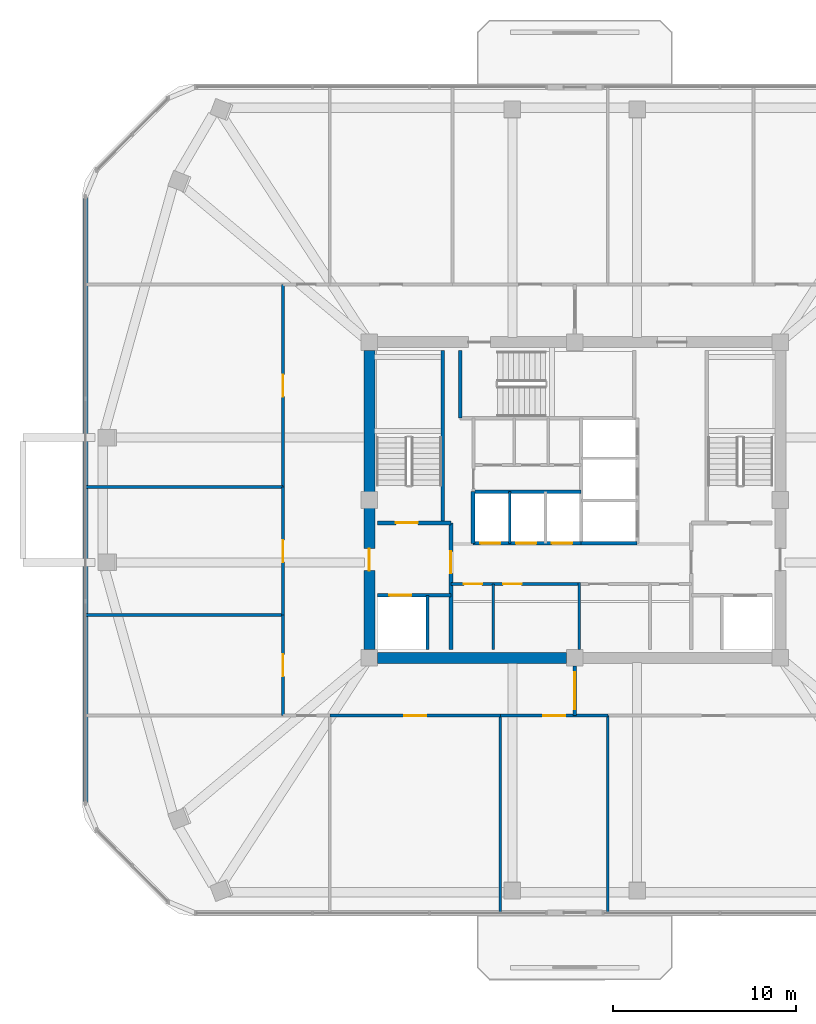
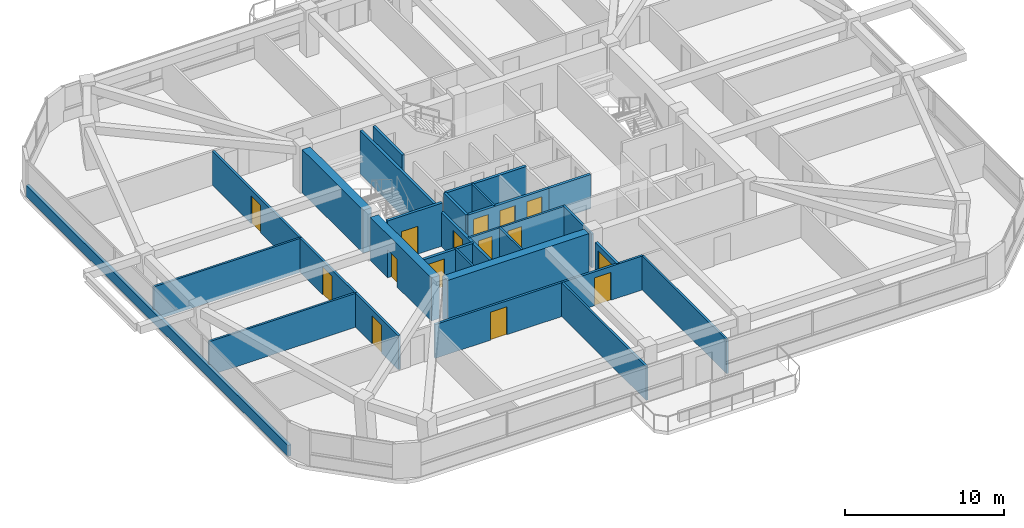
# One storey, part 8 of 13: 28 walls, 15 doors, 15 openings.
"""IFC4 building model written with IfcOpenShell, lengths in metres."""

import ifcopenshell
import ifcopenshell.guid

model = None  # the IFC model being written
_history = None  # IfcOwnerHistory: only IFC2X3 demands one
_inside = {}  # id of a spatial element -> (the spatial element, [elements in it])
_under = {}  # id of a project, library or spatial element -> (it, [spatial elements below it])
_declared = {}  # id of a project -> (the project, [libraries it declares])
_typed = {}  # id of a type object -> (the type object, [elements of that type])
_made_of = {}  # id of a material, layer set ... -> (it, [elements and type objects made of it])


def new_model(schema):
    """Start an empty IFC model of exactly this schema.

    Asked for "IFC4X3", IfcOpenShell would pick the latest addendum, in which some entities
    have other attributes; the version numbers below select the first issue.
    IFC2X3 requires an IfcOwnerHistory on every rooted entity: one is made here for all.
    """
    global model, _history
    if schema == "IFC4X3":
        model = ifcopenshell.file(schema_version=(4, 3, 0, 0))
    else:
        model = ifcopenshell.file(schema=schema)
    _inside.clear()
    _under.clear()
    _declared.clear()
    _typed.clear()
    _made_of.clear()
    _history = None
    if model.schema == "IFC2X3":
        org = make("IfcOrganization", Name="unknown")
        user = make(
            "IfcPersonAndOrganization",
            ThePerson=make("IfcPerson", FamilyName="unknown"),
            TheOrganization=org,
        )
        app = make(
            "IfcApplication",
            ApplicationDeveloper=org,
            Version="unknown",
            ApplicationFullName="unknown",
            ApplicationIdentifier="unknown",
        )
        _history = make(
            "IfcOwnerHistory",
            OwningUser=user,
            OwningApplication=app,
            ChangeAction="ADDED",
            CreationDate=0,
        )
    return model


def make(cls, **values):
    """One entity of the class cls with the attributes given. An attribute that is None is left unset."""
    return model.create_entity(
        cls, **{name: value for name, value in values.items() if value is not None}
    )


def rooted(cls, **values):
    """An entity with a GlobalId (a new one), such as an element, a storey or a relation."""
    return make(cls, GlobalId=ifcopenshell.guid.new(), OwnerHistory=_history, **values)


def si_unit(unit_type, name, prefix=None):
    """IfcSIUnit, for example si_unit("LENGTHUNIT", "METRE", prefix="MILLI")."""
    return make("IfcSIUnit", UnitType=unit_type, Prefix=prefix, Name=name)


def derived_unit(unit_type, elements):
    """IfcDerivedUnit: a product of units, each with its exponent."""
    return make(
        "IfcDerivedUnit",
        Elements=[
            make("IfcDerivedUnitElement", Unit=unit, Exponent=power)
            for unit, power in elements
        ],
        UnitType=unit_type,
    )


def assignment(units):
    """IfcUnitAssignment: the units of a project."""
    return None if units is None else make("IfcUnitAssignment", Units=units)


def point(xyz):
    """IfcCartesianPoint."""
    return None if xyz is None else make("IfcCartesianPoint", Coordinates=xyz)


def direction(xyz):
    """IfcDirection."""
    return None if xyz is None else make("IfcDirection", DirectionRatios=xyz)


def frame(location, z_axis=None, x_axis=None):
    """IfcAxis2Placement3D, a coordinate frame: its origin and axes. An axis left out is left unset."""
    return make(
        "IfcAxis2Placement3D",
        Location=point(location),
        Axis=direction(z_axis),
        RefDirection=direction(x_axis),
    )


def frame_2d(location, x_axis=None):
    """IfcAxis2Placement2D, a coordinate frame in the plane: its origin and x axis."""
    return make(
        "IfcAxis2Placement2D", Location=point(location), RefDirection=direction(x_axis)
    )


def origin():
    """The frame at (0, 0, 0) with its axes left unset."""
    return frame((0.0, 0.0, 0.0))


def place(relative_to, where):
    """IfcLocalPlacement: puts the frame where relative to a parent placement (None: the world)."""
    return make(
        "IfcLocalPlacement", PlacementRelTo=relative_to, RelativePlacement=where
    )


def context(
    kind, dimensions, precision=None, world=None, true_north=None, identifier=None
):
    """IfcGeometricRepresentationContext, for example the 3D "Model" context."""
    return make(
        "IfcGeometricRepresentationContext",
        ContextIdentifier=identifier,
        ContextType=kind,
        CoordinateSpaceDimension=dimensions,
        Precision=precision,
        WorldCoordinateSystem=world,
        TrueNorth=true_north,
    )


def subcontext(parent, identifier, kind, view, scale=None):
    """IfcGeometricRepresentationSubContext, for example "Body" below "Model"."""
    return make(
        "IfcGeometricRepresentationSubContext",
        ContextIdentifier=identifier,
        ContextType=kind,
        ParentContext=parent,
        TargetScale=scale,
        TargetView=view,
    )


def project(units=None, contexts=None):
    """IfcProject with its units and contexts."""
    return rooted(
        "IfcProject",
        Name="project",
        RepresentationContexts=contexts,
        UnitsInContext=assignment(units),
    )


def spatial(cls, under=None, at=None, **own):
    """A site, building, storey or space (cls), placed at a placement, below another one or the project."""
    s = rooted(cls, ObjectPlacement=at, **own)
    if under is not None:
        _under.setdefault(under.id(), (under, []))[1].append(s)
    return s


def profile(cls, at=None, kind="AREA", **sizes):
    """A parametric profile (cls). Its sizes go by their IFC names, for example OverallWidth=200.0."""
    return make(cls, ProfileType=kind, Position=at, **sizes)


def rectangle(**sizes):
    """IfcRectangleProfileDef."""
    return profile("IfcRectangleProfileDef", **sizes)


def extrude(swept, where, along, depth):
    """IfcExtrudedAreaSolid: the profile swept, set in the frame where, extruded along a direction by depth."""
    return make(
        "IfcExtrudedAreaSolid",
        SweptArea=swept,
        Position=where,
        ExtrudedDirection=direction(along),
        Depth=depth,
    )


def shape(context_of_items, identifier, shape_type, items):
    """IfcShapeRepresentation: the items that make up one representation, for example the "Body"."""
    return make(
        "IfcShapeRepresentation",
        ContextOfItems=context_of_items,
        RepresentationIdentifier=identifier,
        RepresentationType=shape_type,
        Items=items,
    )


def material(Name=None, Category=None):
    """IfcMaterial."""
    return make("IfcMaterial", Name=Name, Category=Category)


def layer(
    of_material, thickness, ventilated=None, Name=None, Category=None, Priority=None
):
    """IfcMaterialLayer: one layer of a wall or slab, of a material (None: an air gap)."""
    return make(
        "IfcMaterialLayer",
        Material=of_material,
        LayerThickness=thickness,
        IsVentilated=ventilated,
        Name=Name,
        Category=Category,
        Priority=Priority,
    )


def layer_set(layers, Name=None):
    """IfcMaterialLayerSet."""
    return make("IfcMaterialLayerSet", MaterialLayers=layers, LayerSetName=Name)


def made_of(thing, what):
    """Note that an element or type object is made of a material, layer set ...; save() writes the relation."""
    if what is not None:
        _made_of.setdefault(what.id(), (what, []))[1].append(thing)
    return thing


def type_object(cls, material=None, **own):
    """A type object (cls), such as IfcWallType, which elements share."""
    return made_of(rooted(cls, **own), material)


def element(
    cls,
    number,
    at=None,
    inside=None,
    cuts=None,
    type_object=None,
    material=None,
    context=None,
    identifier="Body",
    shape_type=None,
    held_by="IfcProductDefinitionShape",
    body=None,
    shapes=None,
    **own,
):
    """One element of the class cls, such as IfcWall. Its Tag is "e" and its number.

    at: its placement. inside: the storey or other place that contains it. cuts: it is an
    opening in that element (IfcRelVoidsElement). A single representation is given by context,
    identifier, shape_type and body (its items); several are given by shapes. held_by: the class
    of the entity that holds the representations. save() writes the other relations.
    """
    e = rooted(cls, Tag="e%d" % number, ObjectPlacement=at, **own)
    if body is not None:
        shapes = [shape(context, identifier, shape_type, body)]
    if shapes is not None:
        e.Representation = make(held_by, Representations=shapes)
    if inside is not None:
        _inside.setdefault(inside.id(), (inside, []))[1].append(e)
    if cuts is not None:
        rooted(
            "IfcRelVoidsElement", RelatingBuildingElement=cuts, RelatedOpeningElement=e
        )
    if type_object is not None:
        _typed.setdefault(type_object.id(), (type_object, []))[1].append(e)
    return made_of(e, material)


def fill(opening, filler):
    """IfcRelFillsElement: the door or window that sits in an opening."""
    return rooted(
        "IfcRelFillsElement",
        RelatingOpeningElement=opening,
        RelatedBuildingElement=filler,
    )


def aggregate(whole, parts):
    """IfcRelAggregates: a whole, such as a stair, and the parts it consists of."""
    return rooted("IfcRelAggregates", RelatingObject=whole, RelatedObjects=parts)


def save(model, path):
    """Write the relations noted so far, then the file.

    IfcRelAggregates (storeys below a building ...), IfcRelContainedInSpatialStructure (elements
    in a storey), IfcRelDefinesByType, IfcRelAssociatesMaterial and IfcRelDeclares: one each for
    every whole, place, type object, material and project.
    """
    for whole, parts in _under.values():
        aggregate(whole, parts)
    for where, things in _inside.values():
        rooted(
            "IfcRelContainedInSpatialStructure",
            RelatedElements=things,
            RelatingStructure=where,
        )
    for kind, things in _typed.values():
        rooted("IfcRelDefinesByType", RelatedObjects=things, RelatingType=kind)
    for what, things in _made_of.values():
        rooted("IfcRelAssociatesMaterial", RelatedObjects=things, RelatingMaterial=what)
    for by, libraries in _declared.values():
        rooted("IfcRelDeclares", RelatingContext=by, RelatedDefinitions=libraries)
    model.write(path)


model = new_model("IFC4")

# Units and contexts
model_context = context("Model", 3, precision=1e-05, world=origin(), true_north=direction((0.0, 1.0)))
body_context = subcontext(model_context, "Body", "Model", "MODEL_VIEW")
ifc_project = project(units=[si_unit("LENGTHUNIT", "METRE"), si_unit("AREAUNIT", "SQUARE_METRE"), si_unit("VOLUMEUNIT", "CUBIC_METRE"), si_unit("PLANEANGLEUNIT", "RADIAN"), si_unit("MASSUNIT", "GRAM", prefix="KILO"), derived_unit("THERMALTRANSMITTANCEUNIT", [(si_unit("POWERUNIT", "WATT"), 1), (si_unit("LENGTHUNIT", "METRE"), -2), (si_unit("THERMODYNAMICTEMPERATUREUNIT", "KELVIN"), -1)])], contexts=[model_context])

# Site, building, storey
site_placement = place(None, origin())
site = spatial("IfcSite", under=ifc_project, at=site_placement, CompositionType="ELEMENT")
building_placement = place(site_placement, origin())
building = spatial("IfcBuilding", under=site, at=building_placement, Name="Koralith Skygarden Medical Center", CompositionType="ELEMENT")
storey_placement = place(building_placement, frame((0.0, 0.0, 217.97998046875)))
storey = spatial("IfcBuildingStorey", under=building, at=storey_placement, Name="L56", CompositionType="ELEMENT", Elevation=217.97998046875)

# Wall, openings, doors
ifc_material_1 = material(Name="Gypsum Board Partition")
ifc_layer_1 = layer(ifc_material_1, 0.14990234375)
ifc_layer_set_1 = layer_set([ifc_layer_1], Name="Gypsum Board Partition")
wall_type_1 = type_object("IfcWallType", Name="Clinical Acoustic Partition 150", PredefinedType="PARTITIONING", material=ifc_layer_set_1)
wall_1_placement = place(storey_placement, frame((30.25, 21.320068359375, 0.0), z_axis=(0.0, 0.0, 1.0), x_axis=(1.0, 0.0, 0.0)))
wall_1 = element("IfcWall", 1, at=wall_1_placement, inside=storey, type_object=wall_type_1, Name="L56 Clinical Acoustic Partition 150 W-CORE-L56-FREED-LR-N", PredefinedType="PARTITIONING", context=body_context, shape_type="SweptSolid", body=[
    extrude(rectangle(XDim=7.0, YDim=0.14990234375, at=frame_2d((3.5, 0.0))), origin(), (0.0, 0.0, 1.0), 2.610107421875),
])
opening_1_placement = place(wall_1_placement, frame((0.699951171875, 0.0, 0.0)))
opening_1 = element("IfcOpeningElement", 2, at=opening_1_placement, cuts=wall_1, Name="Opening D-SUP", PredefinedType="OPENING", context=body_context, shape_type="SweptSolid", body=[
    extrude(rectangle(XDim=1.0, YDim=2.14990234375, at=frame_2d((0.5, 1.074951171875))), frame((0.0, 0.0849609375, 0.0), z_axis=(0.0, -1.0, 0.0), x_axis=(1.0, 0.0, 0.0)), (0.0, 0.0, 1.0), 0.169921875),
])
opening_2_placement = place(wall_1_placement, frame((2.85009765625, 0.0, 0.0)))
opening_2 = element("IfcOpeningElement", 3, at=opening_2_placement, cuts=wall_1, Name="Opening D-SUP", PredefinedType="OPENING", context=body_context, shape_type="SweptSolid", body=[
    extrude(rectangle(XDim=1.0, YDim=2.14990234375, at=frame_2d((0.5, 1.074951171875))), frame((0.0, 0.0849609375, 0.0), z_axis=(0.0, -1.0, 0.0), x_axis=(1.0, 0.0, 0.0)), (0.0, 0.0, 1.0), 0.169921875),
])
ifc_material_2 = material(Name="Aluminium 6063-T6", Category="aluminium")
door_type_1 = type_object("IfcDoorType", Name="Clinical Support Door D-SUP 1000", OperationType="NOTDEFINED", PredefinedType="DOOR", material=ifc_material_2)
door_1_placement = place(opening_1_placement, frame((1.0, 0.0, 0.0), z_axis=(0.0, 0.0, 1.0), x_axis=(-1.0, 0.0, 0.0)))
door_1 = element("IfcDoor", 4, at=door_1_placement, inside=storey, type_object=door_type_1, Name="L56 Medication Preparation Door", OperationType="SINGLE_SWING_LEFT", OverallHeight=2.14990234375, OverallWidth=1.0, PredefinedType="DOOR", context=body_context, shape_type="SweptSolid", body=[
    extrude(rectangle(XDim=1.0, YDim=2.14990234375, at=frame_2d((0.5, 1.074951171875))), frame((0.0, 0.02490234375, 0.0), z_axis=(0.0, -1.0, 0.0), x_axis=(1.0, 0.0, 0.0)), (0.0, 0.0, 1.0), 0.050048828125),
])
fill(opening_1, door_1)
door_2_placement = place(opening_2_placement, frame((1.0, 0.0, 0.0), z_axis=(0.0, 0.0, 1.0), x_axis=(-1.0, 0.0, 0.0)))
door_2 = element("IfcDoor", 5, at=door_2_placement, inside=storey, type_object=door_type_1, Name="L56 Telemetry Room Door", OperationType="SINGLE_SWING_RIGHT", OverallHeight=2.14990234375, OverallWidth=1.0, PredefinedType="DOOR", context=body_context, shape_type="SweptSolid", body=[
    extrude(rectangle(XDim=1.0, YDim=2.14990234375, at=frame_2d((0.5, 1.074951171875))), frame((0.0, 0.02490234375, 0.0), z_axis=(0.0, -1.0, 0.0), x_axis=(1.0, 0.0, 0.0)), (0.0, 0.0, 1.0), 0.050048828125),
])
fill(opening_2, door_2)

# Walls
wall_2_placement = place(storey_placement, frame((32.550048828125, 17.75, 0.0), z_axis=(0.0, 0.0, 1.0), x_axis=(0.0, 1.0, 0.0)))
element("IfcWall", 6, at=wall_2_placement, inside=storey, type_object=wall_type_1, Name="L56 Clinical Acoustic Partition 150 W-CORE-L56-FREED-LR-M", PredefinedType="PARTITIONING", context=body_context, shape_type="SweptSolid", body=[
    extrude(rectangle(XDim=3.570068359375, YDim=0.14990234375, at=frame_2d((1.78515625, 0.0))), origin(), (0.0, 0.0, 1.0), 2.610107421875),
])
for number, where, z_axis, x_axis, name in (
    (7, (32.94189453125, 14.14990234375, 0.0), (0.0, 0.0, 1.0), (0.0, -1.0, 0.0), "L56 Clinical Acoustic Partition 150 W-PART-L56-S-02"),
    (8, (38.800048828125, 14.14990234375, 0.0), (0.0, 0.0, 1.0), (0.0, -1.0, 0.0), "L56 Clinical Acoustic Partition 150 W-PART-L56-S-03"),
):
    element("IfcWall", number, at=place(storey_placement, frame(where, z_axis=z_axis, x_axis=x_axis)), inside=storey, type_object=wall_type_1, Name=name, PredefinedType="PARTITIONING", context=body_context, shape_type="SweptSolid", body=[
        extrude(rectangle(XDim=10.73486328125, YDim=0.14990234375, at=frame_2d((5.367431640625, 0.0))), origin(), (0.0, 0.0, 1.0), 2.610107421875),
    ])
for number, where, z_axis, x_axis, name in (
    (9, (21.10009765625, 19.6298828125, 0.0), (0.0, 0.0, 1.0), (-1.0, 0.0, 0.0), "L56 Clinical Acoustic Partition 150 W-PART-L56-W-01"),
    (10, (21.10009765625, 26.60498046875, 0.0), (0.0, 0.0, 1.0), (-1.0, 0.0, 0.0), "L56 Clinical Acoustic Partition 150 W-PART-L56-W-02"),
):
    element("IfcWall", number, at=place(storey_placement, frame(where, z_axis=z_axis, x_axis=x_axis)), inside=storey, type_object=wall_type_1, Name=name, PredefinedType="PARTITIONING", context=body_context, shape_type="SweptSolid", body=[
        extrude(rectangle(XDim=10.739990234375, YDim=0.14990234375, at=frame_2d((5.3701171875, 0.0))), origin(), (0.0, 0.0, 1.0), 2.610107421875),
    ])

# Wall, opening, door
ifc_layer_2 = layer(ifc_material_1, 0.1650390625)
ifc_layer_set_2 = layer_set([ifc_layer_2], Name="Gypsum Board Partition")
wall_type_2 = type_object("IfcWallType", Name="Clinical Corridor Partition 165", PredefinedType="PARTITIONING", material=ifc_layer_set_2)
wall_3_placement = place(storey_placement, frame((23.64990234375, 14.14990234375, 0.0), z_axis=(0.0, 0.0, 1.0), x_axis=(1.0, 0.0, 0.0)))
wall_3 = element("IfcWall", 11, at=wall_3_placement, inside=storey, type_object=wall_type_2, Name="L56 Clinical Corridor Partition 165 W-CORR-L56-S-02", PredefinedType="PARTITIONING", context=body_context, shape_type="SweptSolid", body=[
    extrude(rectangle(XDim=9.2919921875, YDim=0.1650390625, at=frame_2d((4.64599609375, 0.0))), origin(), (0.0, 0.0, 1.0), 2.610107421875),
])
opening_3_placement = place(wall_3_placement, frame((4.0458984375, 0.0, 0.0)))
opening_3 = element("IfcOpeningElement", 12, at=opening_3_placement, cuts=wall_3, Name="Opening D-CLN", PredefinedType="OPENING", context=body_context, shape_type="SweptSolid", body=[
    extrude(rectangle(XDim=1.199951171875, YDim=2.14990234375, at=frame_2d((0.60009765625, 1.074951171875))), frame((0.0, 0.092529296875, 0.0), z_axis=(0.0, -1.0, 0.0), x_axis=(1.0, 0.0, 0.0)), (0.0, 0.0, 1.0), 0.18505859375),
])
door_type_2 = type_object("IfcDoorType", Name="Clinical Corridor Door D-CLN 1200", OperationType="NOTDEFINED", PredefinedType="DOOR", material=ifc_material_2)
door_3_placement = place(opening_3_placement, frame((1.199951171875, 0.0, 0.0), z_axis=(0.0, 0.0, 1.0), x_axis=(-1.0, 0.0, 0.0)))
door_3 = element("IfcDoor", 13, at=door_3_placement, inside=storey, type_object=door_type_2, Name="L56 Hepatology Exam Room 08 Door", OperationType="SINGLE_SWING_LEFT", OverallHeight=2.14990234375, OverallWidth=1.199951171875, PredefinedType="DOOR", context=body_context, shape_type="SweptSolid", body=[
    extrude(rectangle(XDim=1.199951171875, YDim=2.14990234375, at=frame_2d((0.60009765625, 1.074951171875))), frame((0.0, 0.02490234375, 0.0), z_axis=(0.0, -1.0, 0.0), x_axis=(1.0, 0.0, 0.0)), (0.0, 0.0, 1.0), 0.050048828125),
])
fill(opening_3, door_3)

wall_4_placement = place(storey_placement, frame((32.94189453125, 14.14990234375, 0.0), z_axis=(0.0, 0.0, 1.0), x_axis=(1.0, 0.0, 0.0)))
wall_4 = element("IfcWall", 14, at=wall_4_placement, inside=storey, type_object=wall_type_2, Name="L56 Clinical Corridor Partition 165 W-CORR-L56-S-03", PredefinedType="PARTITIONING", context=body_context, shape_type="SweptSolid", body=[
    extrude(rectangle(XDim=5.858154296875, YDim=0.1650390625, at=frame_2d((2.92919921875, 0.0))), origin(), (0.0, 0.0, 1.0), 2.610107421875),
])
opening_4_placement = place(wall_4_placement, frame((2.3291015625, 0.0, 0.0)))
opening_4 = element("IfcOpeningElement", 15, at=opening_4_placement, cuts=wall_4, Name="Opening D-CLN", PredefinedType="OPENING", context=body_context, shape_type="SweptSolid", body=[
    extrude(rectangle(XDim=1.199951171875, YDim=2.14990234375, at=frame_2d((0.60009765625, 1.074951171875))), frame((0.0, 0.092529296875, 0.0), z_axis=(0.0, -1.0, 0.0), x_axis=(1.0, 0.0, 0.0)), (0.0, 0.0, 1.0), 0.18505859375),
])
door_4_placement = place(opening_4_placement, frame((1.199951171875, 0.0, 0.0), z_axis=(0.0, 0.0, 1.0), x_axis=(-1.0, 0.0, 0.0)))
door_4 = element("IfcDoor", 16, at=door_4_placement, inside=storey, type_object=door_type_2, Name="L56 Patient and Family Sky-Garden Day Lounge 09 Door", OperationType="SINGLE_SWING_RIGHT", OverallHeight=2.14990234375, OverallWidth=1.199951171875, PredefinedType="DOOR", context=body_context, shape_type="SweptSolid", body=[
    extrude(rectangle(XDim=1.199951171875, YDim=2.14990234375, at=frame_2d((0.60009765625, 1.074951171875))), frame((0.0, 0.02490234375, 0.0), z_axis=(0.0, -1.0, 0.0), x_axis=(1.0, 0.0, 0.0)), (0.0, 0.0, 1.0), 0.050048828125),
])
fill(opening_4, door_4)

wall_5_placement = place(storey_placement, frame((21.10009765625, 14.14990234375, 0.0), z_axis=(0.0, 0.0, 1.0), x_axis=(0.0, 1.0, 0.0)))
wall_5 = element("IfcWall", 17, at=wall_5_placement, inside=storey, type_object=wall_type_2, Name="L56 Clinical Corridor Partition 165 W-CORR-L56-W-01", PredefinedType="PARTITIONING", context=body_context, shape_type="SweptSolid", body=[
    extrude(rectangle(XDim=5.47998046875, YDim=0.1650390625, at=frame_2d((2.739990234375, 0.0))), origin(), (0.0, 0.0, 1.0), 2.610107421875),
])
opening_5_placement = place(wall_5_placement, frame((2.139892578125, 0.0, 0.0)))
opening_5 = element("IfcOpeningElement", 18, at=opening_5_placement, cuts=wall_5, Name="Opening D-CLN", PredefinedType="OPENING", context=body_context, shape_type="SweptSolid", body=[
    extrude(rectangle(XDim=1.199951171875, YDim=2.14990234375, at=frame_2d((0.60009765625, 1.074951171875))), frame((0.0, 0.092529296875, 0.0), z_axis=(0.0, -1.0, 0.0), x_axis=(1.0, 0.0, 0.0)), (0.0, 0.0, 1.0), 0.18505859375),
])
door_5_placement = place(opening_5_placement, frame((1.199951171875, 0.0, 0.0), z_axis=(0.0, 0.0, 1.0), x_axis=(-1.0, 0.0, 0.0)))
door_5 = element("IfcDoor", 19, at=door_5_placement, inside=storey, type_object=door_type_2, Name="L56 Transplant Selection Conference Room 12 Door", OperationType="SINGLE_SWING_LEFT", OverallHeight=2.14990234375, OverallWidth=1.199951171875, PredefinedType="DOOR", context=body_context, shape_type="SweptSolid", body=[
    extrude(rectangle(XDim=1.199951171875, YDim=2.14990234375, at=frame_2d((0.60009765625, 1.074951171875))), frame((0.0, 0.02490234375, 0.0), z_axis=(0.0, -1.0, 0.0), x_axis=(1.0, 0.0, 0.0)), (0.0, 0.0, 1.0), 0.050048828125),
])
fill(opening_5, door_5)

wall_6_placement = place(storey_placement, frame((21.10009765625, 19.6298828125, 0.0), z_axis=(0.0, 0.0, 1.0), x_axis=(0.0, 1.0, 0.0)))
wall_6 = element("IfcWall", 20, at=wall_6_placement, inside=storey, type_object=wall_type_2, Name="L56 Clinical Corridor Partition 165 W-CORR-L56-W-02", PredefinedType="PARTITIONING", context=body_context, shape_type="SweptSolid", body=[
    extrude(rectangle(XDim=6.97509765625, YDim=0.1650390625, at=frame_2d((3.487548828125, 0.0))), origin(), (0.0, 0.0, 1.0), 2.610107421875),
])
opening_6_placement = place(wall_6_placement, frame((2.887939453125, 0.0, 0.0)))
opening_6 = element("IfcOpeningElement", 21, at=opening_6_placement, cuts=wall_6, Name="Opening D-CLN", PredefinedType="OPENING", context=body_context, shape_type="SweptSolid", body=[
    extrude(rectangle(XDim=1.199951171875, YDim=2.14990234375, at=frame_2d((0.60009765625, 1.074951171875))), frame((0.0, 0.092529296875, 0.0), z_axis=(0.0, -1.0, 0.0), x_axis=(1.0, 0.0, 0.0)), (0.0, 0.0, 1.0), 0.18505859375),
])
door_6_placement = place(opening_6_placement, frame((1.199951171875, 0.0, 0.0), z_axis=(0.0, 0.0, 1.0), x_axis=(-1.0, 0.0, 0.0)))
door_6 = element("IfcDoor", 22, at=door_6_placement, inside=storey, type_object=door_type_2, Name="L56 Hepatology Exam Room 13 Door", OperationType="SINGLE_SWING_RIGHT", OverallHeight=2.14990234375, OverallWidth=1.199951171875, PredefinedType="DOOR", context=body_context, shape_type="SweptSolid", body=[
    extrude(rectangle(XDim=1.199951171875, YDim=2.14990234375, at=frame_2d((0.60009765625, 1.074951171875))), frame((0.0, 0.02490234375, 0.0), z_axis=(0.0, -1.0, 0.0), x_axis=(1.0, 0.0, 0.0)), (0.0, 0.0, 1.0), 0.050048828125),
])
fill(opening_6, door_6)

wall_7_placement = place(storey_placement, frame((21.10009765625, 26.60498046875, 0.0), z_axis=(0.0, 0.0, 1.0), x_axis=(0.0, 1.0, 0.0)))
wall_7 = element("IfcWall", 23, at=wall_7_placement, inside=storey, type_object=wall_type_2, Name="L56 Clinical Corridor Partition 165 W-CORR-L56-W-03", PredefinedType="PARTITIONING", context=body_context, shape_type="SweptSolid", body=[
    extrude(rectangle(XDim=11.044921875, YDim=0.1650390625, at=frame_2d((5.5224609375, 0.0))), origin(), (0.0, 0.0, 1.0), 2.610107421875),
])
opening_7_placement = place(wall_7_placement, frame((4.922119140625, 0.0, 0.0)))
opening_7 = element("IfcOpeningElement", 24, at=opening_7_placement, cuts=wall_7, Name="Opening D-CLN", PredefinedType="OPENING", context=body_context, shape_type="SweptSolid", body=[
    extrude(rectangle(XDim=1.199951171875, YDim=2.14990234375, at=frame_2d((0.60009765625, 1.074951171875))), frame((0.0, 0.092529296875, 0.0), z_axis=(0.0, -1.0, 0.0), x_axis=(1.0, 0.0, 0.0)), (0.0, 0.0, 1.0), 0.18505859375),
])
door_7_placement = place(opening_7_placement, frame((1.199951171875, 0.0, 0.0), z_axis=(0.0, 0.0, 1.0), x_axis=(-1.0, 0.0, 0.0)))
door_7 = element("IfcDoor", 25, at=door_7_placement, inside=storey, type_object=door_type_2, Name="L56 Transplant Coordinator Office 14 Door", OperationType="SINGLE_SWING_LEFT", OverallHeight=2.14990234375, OverallWidth=1.199951171875, PredefinedType="DOOR", context=body_context, shape_type="SweptSolid", body=[
    extrude(rectangle(XDim=1.199951171875, YDim=2.14990234375, at=frame_2d((0.60009765625, 1.074951171875))), frame((0.0, 0.02490234375, 0.0), z_axis=(0.0, -1.0, 0.0), x_axis=(1.0, 0.0, 0.0)), (0.0, 0.0, 1.0), 0.050048828125),
])
fill(opening_7, door_7)

ifc_layer_3 = layer(ifc_material_1, 0.199951171875)
ifc_layer_set_3 = layer_set([ifc_layer_3], Name="Gypsum Board Partition")
wall_type_3 = type_object("IfcWallType", Name="Fire Shaft Wall 200", PredefinedType="SOLIDWALL", material=ifc_layer_set_3)
wall_8_placement = place(storey_placement, frame((26.25, 20.699951171875, 0.0), z_axis=(0.0, 0.0, 1.0), x_axis=(1.0, 0.0, 0.0)))
wall_8 = element("IfcWall", 26, at=wall_8_placement, inside=storey, type_object=wall_type_3, Name="L56 Fire Shaft Wall 200 W-CORE-L56-FF1-N", PredefinedType="SOLIDWALL", context=body_context, shape_type="SweptSolid", body=[
    extrude(rectangle(XDim=4.0, YDim=0.199951171875, at=frame_2d((2.0, 0.0))), origin(), (0.0, 0.0, 1.0), 2.610107421875),
])
opening_8_placement = place(wall_8_placement, frame((0.64990234375, 0.0, 0.0)))
opening_8 = element("IfcOpeningElement", 27, at=opening_8_placement, cuts=wall_8, Name="Opening LD-FF", PredefinedType="OPENING", context=body_context, shape_type="SweptSolid", body=[
    extrude(rectangle(XDim=1.199951171875, YDim=2.14990234375, at=frame_2d((0.60009765625, 1.074951171875))), frame((0.0, 0.10986328125, 0.0), z_axis=(0.0, -1.0, 0.0), x_axis=(1.0, 0.0, 0.0)), (0.0, 0.0, 1.0), 0.219970703125),
])
ifc_material_3 = material(Name="Steel ASTM A500 Grade C", Category="steel")
door_type_3 = type_object("IfcDoorType", Name="Fire Lift Sliding Landing Door LD-FF 1200", OperationType="NOTDEFINED", PredefinedType="DOOR", material=ifc_material_3)
door_8_placement = place(opening_8_placement, origin())
door_8 = element("IfcDoor", 28, at=door_8_placement, inside=storey, type_object=door_type_3, Name="L56 Fire Service Elevator FF1 Landing Door", OperationType="SLIDING_TO_LEFT", OverallHeight=2.14990234375, OverallWidth=1.199951171875, PredefinedType="DOOR", context=body_context, shape_type="SweptSolid", body=[
    extrude(rectangle(XDim=1.199951171875, YDim=2.14990234375, at=frame_2d((0.60009765625, 1.074951171875))), frame((0.0, 0.02490234375, 0.0), z_axis=(0.0, -1.0, 0.0), x_axis=(1.0, 0.0, 0.0)), (0.0, 0.0, 1.0), 0.050048828125),
])
fill(opening_8, door_8)

wall_9_placement = place(storey_placement, frame((30.25, 17.75, 0.0), z_axis=(0.0, 0.0, 1.0), x_axis=(0.0, 1.0, 0.0)))
wall_9 = element("IfcWall", 29, at=wall_9_placement, inside=storey, type_object=wall_type_3, Name="L56 Fire Shaft Wall 200 W-CORE-L56-FSAEW-E", PredefinedType="SOLIDWALL", context=body_context, shape_type="SweptSolid", body=[
    extrude(rectangle(XDim=6.89990234375, YDim=0.199951171875, at=frame_2d((3.449951171875, 0.0))), origin(), (0.0, 0.0, 1.0), 2.610107421875),
])
opening_9_placement = place(wall_9_placement, frame((4.14990234375, 0.0, 0.0)))
opening_9 = element("IfcOpeningElement", 30, at=opening_9_placement, cuts=wall_9, Name="Opening D-ST60", PredefinedType="OPENING", context=body_context, shape_type="SweptSolid", body=[
    extrude(rectangle(XDim=1.199951171875, YDim=2.14990234375, at=frame_2d((0.60009765625, 1.074951171875))), frame((0.0, 0.10986328125, 0.0), z_axis=(0.0, -1.0, 0.0), x_axis=(1.0, 0.0, 0.0)), (0.0, 0.0, 1.0), 0.219970703125),
])
door_type_4 = type_object("IfcDoorType", Name="Smokeproof Stair Fire Door FD60S 1200", OperationType="NOTDEFINED", PredefinedType="DOOR", material=ifc_material_3)
door_9_placement = place(opening_9_placement, origin())
door_9 = element("IfcDoor", 31, at=door_9_placement, inside=storey, type_object=door_type_4, Name="L56 West Firefighting Lobby Inner Fire Door", OperationType="SINGLE_SWING_LEFT", OverallHeight=2.14990234375, OverallWidth=1.199951171875, PredefinedType="DOOR", context=body_context, shape_type="SweptSolid", body=[
    extrude(rectangle(XDim=1.199951171875, YDim=2.14990234375, at=frame_2d((0.60009765625, 1.074951171875))), frame((0.0, 0.02490234375, 0.0), z_axis=(0.0, -1.0, 0.0), x_axis=(1.0, 0.0, 0.0)), (0.0, 0.0, 1.0), 0.050048828125),
])
fill(opening_9, door_9)

# Wall, openings, doors
wall_10_placement = place(storey_placement, frame((31.449951171875, 23.5400390625, 0.0), z_axis=(0.0, 0.0, 1.0), x_axis=(1.0, 0.0, 0.0)))
wall_10 = element("IfcWall", 32, at=wall_10_placement, inside=storey, type_object=wall_type_3, Name="L56 Fire Shaft Wall 200 W-CORE-L56-PH-S", PredefinedType="SOLIDWALL", context=body_context, shape_type="SweptSolid", body=[
    extrude(rectangle(XDim=5.900146484375, YDim=0.199951171875, at=frame_2d((2.9501953125, 0.0))), origin(), (0.0, 0.0, 1.0), 2.610107421875),
])
opening_10_placement = place(wall_10_placement, frame((0.39990234375, 0.0, 0.0)))
opening_10 = element("IfcOpeningElement", 33, at=opening_10_placement, cuts=wall_10, Name="Opening LD-P", PredefinedType="OPENING", context=body_context, shape_type="SweptSolid", body=[
    extrude(rectangle(XDim=1.10009765625, YDim=2.14990234375, at=frame_2d((0.550048828125, 1.074951171875))), frame((0.0, 0.10986328125, 0.0), z_axis=(0.0, -1.0, 0.0), x_axis=(1.0, 0.0, 0.0)), (0.0, 0.0, 1.0), 0.219970703125),
])
opening_11_placement = place(wall_10_placement, frame((2.35009765625, 0.0, 0.0)))
opening_11 = element("IfcOpeningElement", 34, at=opening_11_placement, cuts=wall_10, Name="Opening LD-P", PredefinedType="OPENING", context=body_context, shape_type="SweptSolid", body=[
    extrude(rectangle(XDim=1.10009765625, YDim=2.14990234375, at=frame_2d((0.550048828125, 1.074951171875))), frame((0.0, 0.10986328125, 0.0), z_axis=(0.0, -1.0, 0.0), x_axis=(1.0, 0.0, 0.0)), (0.0, 0.0, 1.0), 0.219970703125),
])
opening_12_placement = place(wall_10_placement, frame((4.300048828125, 0.0, 0.0)))
opening_12 = element("IfcOpeningElement", 35, at=opening_12_placement, cuts=wall_10, Name="Opening LD-P", PredefinedType="OPENING", context=body_context, shape_type="SweptSolid", body=[
    extrude(rectangle(XDim=1.10009765625, YDim=2.14990234375, at=frame_2d((0.550048828125, 1.074951171875))), frame((0.0, 0.10986328125, 0.0), z_axis=(0.0, -1.0, 0.0), x_axis=(1.0, 0.0, 0.0)), (0.0, 0.0, 1.0), 0.219970703125),
])
door_type_5 = type_object("IfcDoorType", Name="Passenger Lift Sliding Landing Door LD-P 1100", OperationType="NOTDEFINED", PredefinedType="DOOR", material=ifc_material_3)
door_10_placement = place(opening_10_placement, origin())
door_10 = element("IfcDoor", 36, at=door_10_placement, inside=storey, type_object=door_type_5, Name="L56 Passenger Elevator PH1 Landing Door", OperationType="SLIDING_TO_RIGHT", OverallHeight=2.14990234375, OverallWidth=1.10009765625, PredefinedType="DOOR", context=body_context, shape_type="SweptSolid", body=[
    extrude(rectangle(XDim=1.10009765625, YDim=2.14990234375, at=frame_2d((0.550048828125, 1.074951171875))), frame((0.0, 0.02490234375, 0.0), z_axis=(0.0, -1.0, 0.0), x_axis=(1.0, 0.0, 0.0)), (0.0, 0.0, 1.0), 0.050048828125),
])
fill(opening_10, door_10)
door_11_placement = place(opening_11_placement, origin())
door_11 = element("IfcDoor", 37, at=door_11_placement, inside=storey, type_object=door_type_5, Name="L56 Passenger Elevator PH2 Landing Door", OperationType="SLIDING_TO_RIGHT", OverallHeight=2.14990234375, OverallWidth=1.10009765625, PredefinedType="DOOR", context=body_context, shape_type="SweptSolid", body=[
    extrude(rectangle(XDim=1.10009765625, YDim=2.14990234375, at=frame_2d((0.550048828125, 1.074951171875))), frame((0.0, 0.02490234375, 0.0), z_axis=(0.0, -1.0, 0.0), x_axis=(1.0, 0.0, 0.0)), (0.0, 0.0, 1.0), 0.050048828125),
])
fill(opening_11, door_11)
door_12_placement = place(opening_12_placement, origin())
door_12 = element("IfcDoor", 38, at=door_12_placement, inside=storey, type_object=door_type_5, Name="L56 Passenger Elevator PH3 Landing Door", OperationType="SLIDING_TO_RIGHT", OverallHeight=2.14990234375, OverallWidth=1.10009765625, PredefinedType="DOOR", context=body_context, shape_type="SweptSolid", body=[
    extrude(rectangle(XDim=1.10009765625, YDim=2.14990234375, at=frame_2d((0.550048828125, 1.074951171875))), frame((0.0, 0.02490234375, 0.0), z_axis=(0.0, -1.0, 0.0), x_axis=(1.0, 0.0, 0.0)), (0.0, 0.0, 1.0), 0.050048828125),
])
fill(opening_12, door_12)

# Walls
wall_11_placement = place(storey_placement, frame((31.449951171875, 26.35009765625, 0.0), z_axis=(0.0, 0.0, 1.0), x_axis=(1.0, 0.0, 0.0)))
element("IfcWall", 39, at=wall_11_placement, inside=storey, type_object=wall_type_3, Name="L56 Fire Shaft Wall 200 W-CORE-L56-PH-N", PredefinedType="SOLIDWALL", context=body_context, shape_type="SweptSolid", body=[
    extrude(rectangle(XDim=5.900146484375, YDim=0.199951171875, at=frame_2d((2.9501953125, 0.0))), origin(), (0.0, 0.0, 1.0), 2.610107421875),
])
wall_12_placement = place(storey_placement, frame((31.449951171875, 23.5400390625, 0.0), z_axis=(0.0, 0.0, 1.0), x_axis=(0.0, 1.0, 0.0)))
element("IfcWall", 40, at=wall_12_placement, inside=storey, type_object=wall_type_3, Name="L56 Fire Shaft Wall 200 W-CORE-L56-PH-W", PredefinedType="SOLIDWALL", context=body_context, shape_type="SweptSolid", body=[
    extrude(rectangle(XDim=2.81005859375, YDim=0.199951171875, at=frame_2d((1.405029296875, 0.0))), origin(), (0.0, 0.0, 1.0), 2.610107421875),
])
wall_13_placement = place(storey_placement, frame((37.35009765625, 23.5400390625, 0.0), z_axis=(0.0, 0.0, 1.0), x_axis=(1.0, 0.0, 0.0)))
element("IfcWall", 41, at=wall_13_placement, inside=storey, type_object=wall_type_3, Name="L56 Fire Shaft Wall 200 W-CORE-L56-SV-S", PredefinedType="SOLIDWALL", context=body_context, shape_type="SweptSolid", body=[
    extrude(rectangle(XDim=3.0498046875, YDim=0.199951171875, at=frame_2d((1.52490234375, 0.0))), origin(), (0.0, 0.0, 1.0), 2.610107421875),
])

# Wall, opening, door
ifc_layer_4 = layer(ifc_material_1, 0.179931640625)
ifc_layer_set_4 = layer_set([ifc_layer_4], Name="Gypsum Board Partition")
wall_type_4 = type_object("IfcWallType", Name="Group I-2 Smoke Barrier Wall 180", PredefinedType="PARTITIONING", material=ifc_layer_set_4)
wall_14_placement = place(storey_placement, frame((37.0, 14.14990234375, 0.0), z_axis=(0.0, 0.0, 1.0), x_axis=(0.0, 1.0, 0.0)))
wall_14 = element("IfcWall", 42, at=wall_14_placement, inside=storey, type_object=wall_type_4, Name="L56 Group I-2 Smoke Barrier Wall 180 W-SMK-L56-S", PredefinedType="PARTITIONING", context=body_context, shape_type="SweptSolid", body=[
    extrude(rectangle(XDim=2.7001953125, YDim=0.179931640625, at=frame_2d((1.35009765625, 0.0))), origin(), (0.0, 0.0, 1.0), 2.610107421875),
])
opening_13_placement = place(wall_14_placement, frame((0.35009765625, 0.0, 0.0)))
opening_13 = element("IfcOpeningElement", 43, at=opening_13_placement, cuts=wall_14, Name="Opening D-SMK", PredefinedType="OPENING", context=body_context, shape_type="SweptSolid", body=[
    extrude(rectangle(XDim=2.0, YDim=2.199951171875, at=frame_2d((1.0, 1.10009765625))), frame((0.0, 0.099853515625, 0.0), z_axis=(0.0, -1.0, 0.0), x_axis=(1.0, 0.0, 0.0)), (0.0, 0.0, 1.0), 0.199951171875),
])
door_type_6 = type_object("IfcDoorType", Name="Cross-Corridor Double Smoke Door FD60S 2000", OperationType="NOTDEFINED", PredefinedType="DOOR", material=ifc_material_3)
door_13_placement = place(opening_13_placement, frame((2.0, 0.0, 0.0), z_axis=(0.0, 0.0, 1.0), x_axis=(-1.0, 0.0, 0.0)))
door_13 = element("IfcDoor", 44, at=door_13_placement, inside=storey, type_object=door_type_6, Name="L56 S Smoke Compartment Cross-Corridor Door", OperationType="DOUBLE_DOOR_SINGLE_SWING", OverallHeight=2.199951171875, OverallWidth=2.0, PredefinedType="DOOR", context=body_context, shape_type="SweptSolid", body=[
    extrude(rectangle(XDim=2.0, YDim=2.199951171875, at=frame_2d((1.0, 1.10009765625))), frame((0.0, 0.02490234375, 0.0), z_axis=(0.0, -1.0, 0.0), x_axis=(1.0, 0.0, 0.0)), (0.0, 0.0, 1.0), 0.050048828125),
])
fill(opening_13, door_13)

# Walls
ifc_material_4 = material(Name="Warm Oolitic Limestone Cladding", Category="masonry")
ifc_layer_5 = layer(ifc_material_4, 0.239990234375)
ifc_layer_set_5 = layer_set([ifc_layer_5], Name="Warm Oolitic Limestone Cladding")
wall_type_5 = type_object("IfcWallType", Name="Limestone Spandrel Sill Backup Wall 240", PredefinedType="SOLIDWALL", material=ifc_layer_set_5)
wall_15_placement = place(storey_placement, frame((10.340087890625, 42.428955078125, 0.0), z_axis=(0.0, 0.0, 1.0), x_axis=(0.0, -1.0, 0.0)))
element("IfcWall", 45, at=wall_15_placement, inside=storey, type_object=wall_type_5, Name="L56 Sill Spandrel W", PredefinedType="SOLIDWALL", context=body_context, shape_type="SweptSolid", body=[
    extrude(rectangle(XDim=33.057861328125, YDim=0.239990234375, at=frame_2d((16.52880859375, 0.0))), origin(), (0.0, 0.0, 1.0), 0.85009765625),
])
ifc_layer_6 = layer(ifc_material_1, 0.14990234375)
ifc_layer_set_6 = layer_set([ifc_layer_6], Name="Gypsum Board Partition")
wall_type_6 = type_object("IfcWallType", Name="Shaft Partition Wall 150", PredefinedType="PARTITIONING", material=ifc_layer_set_6)
wall_16_placement = place(storey_placement, frame((28.969970703125, 17.75, 0.0), z_axis=(0.0, 0.0, 1.0), x_axis=(0.0, 1.0, 0.0)))
element("IfcWall", 46, at=wall_16_placement, inside=storey, type_object=wall_type_6, Name="L56 Shaft Partition Wall 150 W-CORE-L56-RSRW-DIV", PredefinedType="PARTITIONING", context=body_context, shape_type="SweptSolid", body=[
    extrude(rectangle(XDim=2.949951171875, YDim=0.14990234375, at=frame_2d((1.47509765625, 0.0))), origin(), (0.0, 0.0, 1.0), 2.610107421875),
])
wall_17_placement = place(storey_placement, frame((37.25, 17.75, 0.0), z_axis=(0.0, 0.0, 1.0), x_axis=(0.0, 1.0, 0.0)))
element("IfcWall", 47, at=wall_17_placement, inside=storey, type_object=wall_type_6, Name="L56 Shaft Partition Wall 150 W-CORE-L56-PL-PM-SEP", PredefinedType="PARTITIONING", context=body_context, shape_type="SweptSolid", body=[
    extrude(rectangle(XDim=3.64990234375, YDim=0.14990234375, at=frame_2d((1.824951171875, 0.0))), origin(), (0.0, 0.0, 1.0), 2.610107421875),
])
wall_18_placement = place(storey_placement, frame((33.449951171875, 23.5400390625, 0.0), z_axis=(0.0, 0.0, 1.0), x_axis=(0.0, 1.0, 0.0)))
element("IfcWall", 48, at=wall_18_placement, inside=storey, type_object=wall_type_6, Name="L56 Shaft Partition Wall 150 W-CORE-L56-PH-D1", PredefinedType="PARTITIONING", context=body_context, shape_type="SweptSolid", body=[
    extrude(rectangle(XDim=2.81005859375, YDim=0.14990234375, at=frame_2d((1.405029296875, 0.0))), origin(), (0.0, 0.0, 1.0), 2.610107421875),
])
ifc_material_5 = material(Name="Concrete C45/55", Category="concrete")
ifc_layer_7 = layer(ifc_material_5, 0.199951171875)
ifc_layer_set_7 = layer_set([ifc_layer_7], Name="Concrete C45/55")
wall_type_7 = type_object("IfcWallType", Name="Structural Stair Shaft Wall 200", PredefinedType="SHEAR", material=ifc_layer_set_7)
wall_19_placement = place(storey_placement, frame((29.800048828125, 24.64990234375, 0.0), z_axis=(0.0, 0.0, 1.0), x_axis=(0.0, 1.0, 0.0)))
element("IfcWall", 49, at=wall_19_placement, inside=storey, type_object=wall_type_7, Name="L56 Structural Stair Shaft Wall 200 W-CORE-L56-ST1-E", PredefinedType="SHEAR", context=body_context, shape_type="SweptSolid", body=[
    extrude(rectangle(XDim=9.400146484375, YDim=0.199951171875, at=frame_2d((4.7001953125, 0.0))), origin(), (0.0, 0.0, 1.0), 3.320068359375),
])

# Wall, opening, door
wall_20_placement = place(storey_placement, frame((26.25, 24.64990234375, 0.0), z_axis=(0.0, 0.0, 1.0), x_axis=(1.0, 0.0, 0.0)))
wall_20 = element("IfcWall", 50, at=wall_20_placement, inside=storey, type_object=wall_type_7, Name="L56 Structural Stair Shaft Wall 200 W-CORE-L56-ST1-S", PredefinedType="SHEAR", context=body_context, shape_type="SweptSolid", body=[
    extrude(rectangle(XDim=4.0, YDim=0.199951171875, at=frame_2d((2.0, 0.0))), origin(), (0.0, 0.0, 1.0), 3.320068359375),
])
opening_14_placement = place(wall_20_placement, frame((1.0, 0.0, 0.0)))
opening_14 = element("IfcOpeningElement", 51, at=opening_14_placement, cuts=wall_20, Name="Opening D-ST60", PredefinedType="OPENING", context=body_context, shape_type="SweptSolid", body=[
    extrude(rectangle(XDim=1.199951171875, YDim=2.14990234375, at=frame_2d((0.60009765625, 1.074951171875))), frame((0.0, 0.10986328125, 0.0), z_axis=(0.0, -1.0, 0.0), x_axis=(1.0, 0.0, 0.0)), (0.0, 0.0, 1.0), 0.219970703125),
])
door_14_placement = place(opening_14_placement, origin())
door_14 = element("IfcDoor", 52, at=door_14_placement, inside=storey, type_object=door_type_4, Name="L56 Exit Stair ST1 Fire Door", OperationType="SINGLE_SWING_LEFT", OverallHeight=2.14990234375, OverallWidth=1.199951171875, PredefinedType="DOOR", context=body_context, shape_type="SweptSolid", body=[
    extrude(rectangle(XDim=1.199951171875, YDim=2.14990234375, at=frame_2d((0.60009765625, 1.074951171875))), frame((0.0, 0.02490234375, 0.0), z_axis=(0.0, -1.0, 0.0), x_axis=(1.0, 0.0, 0.0)), (0.0, 0.0, 1.0), 0.050048828125),
])
fill(opening_14, door_14)

# Walls
wall_21_placement = place(storey_placement, frame((30.75, 30.360107421875, 0.0), z_axis=(0.0, 0.0, 1.0), x_axis=(0.0, 1.0, 0.0)))
element("IfcWall", 53, at=wall_21_placement, inside=storey, type_object=wall_type_7, Name="L56 Structural Stair Shaft Wall 200 W-CORE-L56-ST3-W", PredefinedType="SHEAR", context=body_context, shape_type="SweptSolid", body=[
    extrude(rectangle(XDim=3.68994140625, YDim=0.199951171875, at=frame_2d((1.844970703125, 0.0))), origin(), (0.0, 0.0, 1.0), 3.320068359375),
])
ifc_material_6 = material(Name="Concrete C55/67", Category="concrete")
ifc_layer_8 = layer(ifc_material_6, 0.60009765625)
ifc_layer_set_8 = layer_set([ifc_layer_8], Name="Concrete C55/67")
wall_type_8 = type_object("IfcWallType", Name="Upper Core Shear Wall 600", PredefinedType="SHEAR", material=ifc_layer_set_8)
wall_22_placement = place(storey_placement, frame((26.2451171875, 17.300048828125, 0.0), z_axis=(0.0, 0.0, 1.0), x_axis=(1.0, 0.0, 0.0)))
element("IfcWall", 54, at=wall_22_placement, inside=storey, type_object=wall_type_8, Name="L56 Core Shear Wall Segment 1", PredefinedType="SHEAR", context=body_context, shape_type="SweptSolid", body=[
    extrude(rectangle(XDim=10.309814453125, YDim=0.60009765625, at=frame_2d((5.15478515625, 0.0))), origin(), (0.0, 0.0, 1.0), 3.320068359375),
])
wall_23_placement = place(storey_placement, frame((25.800048828125, 34.054931640625, 0.0), z_axis=(0.0, 0.0, 1.0), x_axis=(0.0, -1.0, 0.0)))
element("IfcWall", 55, at=wall_23_placement, inside=storey, type_object=wall_type_8, Name="L56 Core Shear Wall Segment 7", PredefinedType="SHEAR", context=body_context, shape_type="SweptSolid", body=[
    extrude(rectangle(XDim=7.7099609375, YDim=0.60009765625, at=frame_2d((3.85498046875, 0.0))), origin(), (0.0, 0.0, 1.0), 3.320068359375),
])

# Wall, opening, door
wall_24_placement = place(storey_placement, frame((25.800048828125, 25.455078125, 0.0), z_axis=(0.0, 0.0, 1.0), x_axis=(0.0, -1.0, 0.0)))
wall_24 = element("IfcWall", 56, at=wall_24_placement, inside=storey, type_object=wall_type_8, Name="L56 Core Shear Wall Segment 8", PredefinedType="SHEAR", context=body_context, shape_type="SweptSolid", body=[
    extrude(rectangle(XDim=7.7099609375, YDim=0.60009765625, at=frame_2d((3.85498046875, 0.0))), origin(), (0.0, 0.0, 1.0), 3.320068359375),
])
opening_15_placement = place(wall_24_placement, frame((2.205078125, 0.0, 0.0)))
opening_15 = element("IfcOpeningElement", 57, at=opening_15_placement, cuts=wall_24, Name="Opening D-ST60", PredefinedType="OPENING", context=body_context, shape_type="SweptSolid", body=[
    extrude(rectangle(XDim=1.199951171875, YDim=2.14990234375, at=frame_2d((0.60009765625, 1.074951171875))), frame((0.0, 0.31005859375, 0.0), z_axis=(0.0, -1.0, 0.0), x_axis=(1.0, 0.0, 0.0)), (0.0, 0.0, 1.0), 0.6201171875),
])
door_15_placement = place(opening_15_placement, frame((1.199951171875, 0.0, 0.0), z_axis=(0.0, 0.0, 1.0), x_axis=(-1.0, 0.0, 0.0)))
door_15 = element("IfcDoor", 58, at=door_15_placement, inside=storey, type_object=door_type_4, Name="L56 West Corridor to Firefighting Lobby Door", OperationType="SINGLE_SWING_LEFT", OverallHeight=2.14990234375, OverallWidth=1.199951171875, PredefinedType="DOOR", context=body_context, shape_type="SweptSolid", body=[
    extrude(rectangle(XDim=1.199951171875, YDim=2.14990234375, at=frame_2d((0.60009765625, 1.074951171875))), frame((0.0, 0.02490234375, 0.0), z_axis=(0.0, -1.0, 0.0), x_axis=(1.0, 0.0, 0.0)), (0.0, 0.0, 1.0), 0.050048828125),
])
fill(opening_15, door_15)

save(model, "model.ifc")
